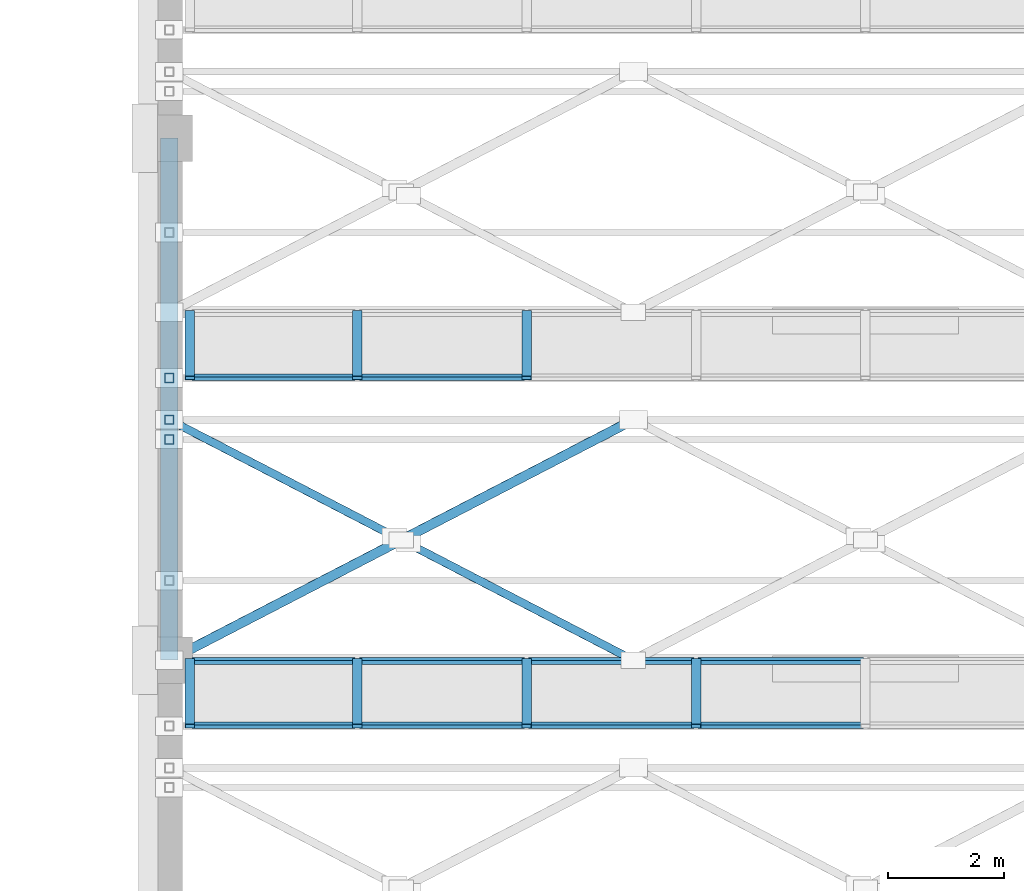
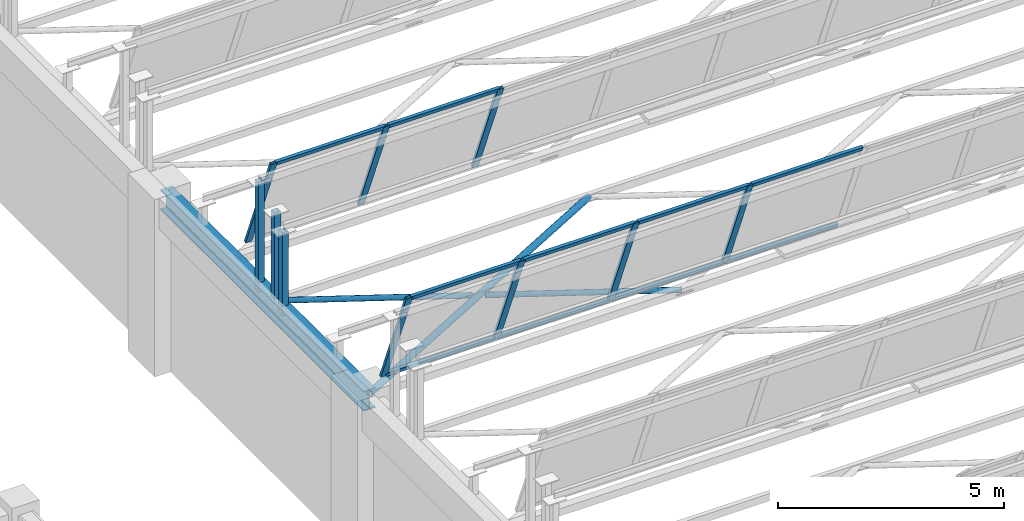
# One storey, part 54 of 98: 23 members, 1 beam, 2 elements without a shape of their own.
"""IFC4 building model written with IfcOpenShell, lengths in metres."""

from ifc_helpers import new_model, si_unit, direction, frame, origin, origin_2d, place, context, subcontext, project, spatial, hollow_rectangle, hollow_circle, i_section, extrude, material, material_profile, profile_set, type_object, element, aggregate, save


model = new_model("IFC4")

# Units and contexts
model_context = context("Model", 3, precision=1e-05, world=origin(), true_north=direction((0.0, 1.0)))
body_context = subcontext(model_context, "Body", "Model", "MODEL_VIEW")
ifc_project = project(units=[si_unit("LENGTHUNIT", "METRE"), si_unit("AREAUNIT", "SQUARE_METRE"), si_unit("VOLUMEUNIT", "CUBIC_METRE"), si_unit("PLANEANGLEUNIT", "RADIAN"), si_unit("MASSUNIT", "GRAM", prefix="KILO")], contexts=[model_context])

# Site, building, storey
site_placement = place(None, origin())
site = spatial("IfcSite", under=ifc_project, at=site_placement, CompositionType="ELEMENT")
building_placement = place(site_placement, origin())
building = spatial("IfcBuilding", under=site, at=building_placement, Name="Lykobir Media Centre", CompositionType="ELEMENT")
storey_placement = place(building_placement, frame((0.0, 0.0, 10.199951171875)))
storey = spatial("IfcBuildingStorey", under=building, at=storey_placement, Name="L02", CompositionType="ELEMENT", Elevation=10.199951171875)

# Beam
ifc_material_1 = material(Name="Steel S355", Category="steel")
ifc_material_profile_1 = material_profile(ifc_material_1, i_section(OverallWidth=0.300048828125, OverallDepth=0.550048828125, WebThickness=0.014892578125, FlangeThickness=0.029052734375, at=origin_2d()), Name="HEB 550")
ifc_profile_set_1 = profile_set([ifc_material_profile_1], Name="Steel S355")
beam_type = type_object("IfcBeamType", Name="BM-HEB550-E", PredefinedType="BEAM", material=ifc_profile_set_1)
beam_placement = place(storey_placement, frame((144.0, 90.0, 4.275146484375), z_axis=(0.0, 1.0, 0.0), x_axis=(-1.0, 0.0, 0.0)))
element("IfcBeam", 1, at=beam_placement, inside=storey, type_object=beam_type, Name="Beam BM-L02-1440-0900-1440-0990-1448", PredefinedType="BEAM", context=body_context, shape_type="SweptSolid", body=[
    extrude(i_section(OverallWidth=0.300048828125, OverallDepth=0.550048828125, WebThickness=0.014892578125, FlangeThickness=0.029052734375, at=origin_2d()), origin(), (0.0, 0.0, 1.0), 9.0),
])

# Members
ifc_material_profile_2 = material_profile(ifc_material_1, hollow_circle(Radius=0.06982421875, WallThickness=0.008056640625, at=origin_2d()), Name="CHS 139.7x8.0")
ifc_profile_set_2 = profile_set([ifc_material_profile_2], Name="Steel S355")
member_type_1 = type_object("IfcMemberType", Name="BR-CHS140", PredefinedType="BRACE", material=ifc_profile_set_2)
member_1_placement = place(storey_placement, frame((152.0, 90.0, 4.43994140625), z_axis=(-0.887879780504, 0.460075532247, 0.0), x_axis=(-0.460075532247, -0.887879780504, 0.0)))
element("IfcMember", 2, at=member_1_placement, inside=storey, type_object=member_type_1, Name="Diagonal brace MEM2-L02-1520-0900-0146-1481-0920-0349", PredefinedType="BRACE", context=body_context, shape_type="SweptSolid", body=[
    extrude(hollow_circle(Radius=0.06982421875, WallThickness=0.008056640625, at=origin_2d()), origin(), (0.0, 0.0, 1.0), 4.365234375),
])
member_2_placement = place(storey_placement, frame((147.875732421875, 92.136962890625, 4.43994140625), z_axis=(-0.88790262671, 0.460031439666, 0.0), x_axis=(-0.460031439666, -0.88790262671, 0.0)))
element("IfcMember", 3, at=member_2_placement, inside=storey, type_object=member_type_1, Name="Diagonal brace MEM2-L02-1479-0921-0146-1440-0941-0350", PredefinedType="BRACE", context=body_context, shape_type="SweptSolid", body=[
    extrude(hollow_circle(Radius=0.06982421875, WallThickness=0.008056640625, at=origin_2d()), origin(), (0.0, 0.0, 1.0), 4.364990234375),
])
ifc_material_profile_3 = material_profile(ifc_material_1, hollow_circle(Radius=0.084228515625, WallThickness=0.010009765625, at=origin_2d()), Name="CHS 168.3x10.0")
ifc_profile_set_3 = profile_set([ifc_material_profile_3], Name="Steel S355")
member_type_2 = type_object("IfcMemberType", Name="BR-CHS168", PredefinedType="BRACE", material=ifc_profile_set_3)
member_3_placement = place(storey_placement, frame((144.0, 90.0, 4.43994140625), z_axis=(0.887896386773, 0.460043483113, 0.0), x_axis=(-0.460043483113, 0.887896386773, 0.0)))
element("IfcMember", 4, at=member_3_placement, inside=storey, type_object=member_type_2, Name="Diagonal brace MEM2-L02-1440-0900-0146-1520-0941-0348", PredefinedType="BRACE", context=body_context, shape_type="SweptSolid", body=[
    extrude(hollow_circle(Radius=0.084228515625, WallThickness=0.010009765625, at=origin_2d()), origin(), (0.0, 0.0, 1.0), 9.010009765625),
])
ifc_material_profile_4 = material_profile(ifc_material_1, hollow_rectangle(XDim=0.159912109375, YDim=0.159912109375, WallThickness=0.008056640625, at=origin_2d()), Name="SHS 160x160x8")
ifc_profile_set_4 = profile_set([ifc_material_profile_4], Name="Steel S355")
member_type_3 = type_object("IfcMemberType", Name="BR-SHS160", PredefinedType="BRACE", material=ifc_profile_set_4)
member_4_placement = place(storey_placement, frame((144.0, 94.864990234375, 4.300048828125), z_axis=(0.0, 0.0, 1.0), x_axis=(1.0, 0.0, 0.0)))
element("IfcMember", 5, at=member_4_placement, inside=storey, type_object=member_type_3, Name="Diagonal brace MEM2-L02-1440-0949-0145-1440-0949-0342", PredefinedType="BRACE", context=body_context, shape_type="SweptSolid", body=[
    extrude(hollow_rectangle(XDim=0.159912109375, YDim=0.159912109375, WallThickness=0.008056640625, at=origin_2d()), origin(), (0.0, 0.0, 1.0), 2.958984375),
])
member_5_placement = place(storey_placement, frame((144.0, 94.14501953125, 4.43994140625), z_axis=(0.0, 0.0, 1.0), x_axis=(1.0, 0.0, 0.0)))
element("IfcMember", 6, at=member_5_placement, inside=storey, type_object=member_type_3, Name="Diagonal brace MEM2-L02-1440-0941-0146-1440-0941-0344", PredefinedType="BRACE", context=body_context, shape_type="SweptSolid", body=[
    extrude(hollow_rectangle(XDim=0.159912109375, YDim=0.159912109375, WallThickness=0.008056640625, at=origin_2d()), origin(), (0.0, 0.0, 1.0), 2.433349609375),
])
member_6_placement = place(storey_placement, frame((144.0, 93.805908203125, 4.300048828125), z_axis=(0.0, 0.0, 1.0), x_axis=(1.0, 0.0, 0.0)))
element("IfcMember", 7, at=member_6_placement, inside=storey, type_object=member_type_3, Name="Diagonal brace MEM2-L02-1440-0938-0145-1440-0938-0359", PredefinedType="BRACE", context=body_context, shape_type="SweptSolid", body=[
    extrude(hollow_rectangle(XDim=0.159912109375, YDim=0.159912109375, WallThickness=0.008056640625, at=origin_2d()), origin(), (0.0, 0.0, 1.0), 2.24462890625),
])

# Curtain wall, members
ifc_material_2 = material(Name="Anodized Aluminium AW-6060", Category="aluminium")
curtain_wall_type = type_object("IfcCurtainWallType", Name="CW-NL-V2", PredefinedType="NOTDEFINED", material=ifc_material_2)
curtain_wall_1_placement = place(storey_placement, origin())
curtain_wall_1 = element("IfcCurtainWall", 8, at=curtain_wall_1_placement, inside=storey, type_object=curtain_wall_type, Name="Curtain wall CW-NL-V2-03", PredefinedType="NOTDEFINED")
ifc_material_profile_5 = material_profile(ifc_material_2, hollow_rectangle(XDim=0.070068359375, YDim=0.1650390625, WallThickness=0.00390625, at=origin_2d()), Name="ALU MULLION 70x165")
ifc_profile_set_5 = profile_set([ifc_material_profile_5], Name="Anodized Aluminium AW-6060")
member_type_4 = type_object("IfcMemberType", Name="CWM-165", PredefinedType="MULLION", material=ifc_profile_set_5)
member_7_placement = place(storey_placement, frame((144.35498046875, 90.0, 4.800048828125), z_axis=(0.0, -0.374653582974, 0.927164868168), x_axis=(0.0, 0.927164868168, 0.374653582974)))
member_7 = element("IfcMember", 9, at=member_7_placement, type_object=member_type_4, Name="CW-NL-V2-03 mullion 1", PredefinedType="MULLION", context=body_context, shape_type="SweptSolid", body=[
    extrude(hollow_rectangle(XDim=0.070068359375, YDim=0.1650390625, WallThickness=0.00390625, at=origin_2d()), origin(), (0.0, 0.0, 1.0), 3.029541015625),
])
member_8_placement = place(storey_placement, frame((147.239990234375, 90.0, 4.800048828125), z_axis=(0.0, -0.374653582974, 0.927164868168), x_axis=(0.0, 0.927164868168, 0.374653582974)))
member_8 = element("IfcMember", 10, at=member_8_placement, type_object=member_type_4, Name="CW-NL-V2-03 mullion 2", PredefinedType="MULLION", context=body_context, shape_type="SweptSolid", body=[
    extrude(hollow_rectangle(XDim=0.070068359375, YDim=0.1650390625, WallThickness=0.00390625, at=origin_2d()), origin(), (0.0, 0.0, 1.0), 3.029541015625),
])
member_9_placement = place(storey_placement, frame((150.159912109375, 90.0, 4.800048828125), z_axis=(0.0, -0.374653582974, 0.927164868168), x_axis=(0.0, 0.927164868168, 0.374653582974)))
member_9 = element("IfcMember", 11, at=member_9_placement, type_object=member_type_4, Name="CW-NL-V2-03 mullion 3", PredefinedType="MULLION", context=body_context, shape_type="SweptSolid", body=[
    extrude(hollow_rectangle(XDim=0.070068359375, YDim=0.1650390625, WallThickness=0.00390625, at=origin_2d()), origin(), (0.0, 0.0, 1.0), 3.029541015625),
])
member_10_placement = place(storey_placement, frame((153.080078125, 90.0, 4.800048828125), z_axis=(0.0, -0.374653582974, 0.927164868168), x_axis=(0.0, 0.927164868168, 0.374653582974)))
member_10 = element("IfcMember", 12, at=member_10_placement, type_object=member_type_4, Name="CW-NL-V2-03 mullion 4", PredefinedType="MULLION", context=body_context, shape_type="SweptSolid", body=[
    extrude(hollow_rectangle(XDim=0.070068359375, YDim=0.1650390625, WallThickness=0.00390625, at=origin_2d()), origin(), (0.0, 0.0, 1.0), 3.029541015625),
])

curtain_wall_2_placement = place(storey_placement, origin())
curtain_wall_2 = element("IfcCurtainWall", 13, at=curtain_wall_2_placement, inside=storey, type_object=curtain_wall_type, Name="Curtain wall CW-NL-V2-04", PredefinedType="NOTDEFINED")
member_11_placement = place(storey_placement, frame((144.35498046875, 96.0, 4.800048828125), z_axis=(0.0, -0.374653582974, 0.927164868168), x_axis=(0.0, 0.927164868168, 0.374653582974)))
member_11 = element("IfcMember", 14, at=member_11_placement, type_object=member_type_4, Name="CW-NL-V2-04 mullion 1", PredefinedType="MULLION", context=body_context, shape_type="SweptSolid", body=[
    extrude(hollow_rectangle(XDim=0.070068359375, YDim=0.1650390625, WallThickness=0.00390625, at=origin_2d()), origin(), (0.0, 0.0, 1.0), 3.029541015625),
])
member_12_placement = place(storey_placement, frame((147.239990234375, 96.0, 4.800048828125), z_axis=(0.0, -0.374653582974, 0.927164868168), x_axis=(0.0, 0.927164868168, 0.374653582974)))
member_12 = element("IfcMember", 15, at=member_12_placement, type_object=member_type_4, Name="CW-NL-V2-04 mullion 2", PredefinedType="MULLION", context=body_context, shape_type="SweptSolid", body=[
    extrude(hollow_rectangle(XDim=0.070068359375, YDim=0.1650390625, WallThickness=0.00390625, at=origin_2d()), origin(), (0.0, 0.0, 1.0), 3.029541015625),
])
member_13_placement = place(storey_placement, frame((150.159912109375, 96.0, 4.800048828125), z_axis=(0.0, -0.374653582974, 0.927164868168), x_axis=(0.0, 0.927164868168, 0.374653582974)))
member_13 = element("IfcMember", 16, at=member_13_placement, type_object=member_type_4, Name="CW-NL-V2-04 mullion 3", PredefinedType="MULLION", context=body_context, shape_type="SweptSolid", body=[
    extrude(hollow_rectangle(XDim=0.070068359375, YDim=0.1650390625, WallThickness=0.00390625, at=origin_2d()), origin(), (0.0, 0.0, 1.0), 3.029541015625),
])

# Member
ifc_material_profile_6 = material_profile(ifc_material_2, hollow_rectangle(XDim=0.070068359375, YDim=0.135009765625, WallThickness=0.00341796875, at=origin_2d()), Name="ALU TRANSOM 70x135")
ifc_profile_set_6 = profile_set([ifc_material_profile_6], Name="Anodized Aluminium AW-6060")
member_type_5 = type_object("IfcMemberType", Name="CWT-135", PredefinedType="USERDEFINED", material=ifc_profile_set_6)
member_14_placement = place(storey_placement, frame((144.389892578125, 89.98681640625, 4.83251953125), z_axis=(1.0, 0.0, 0.0), x_axis=(0.0, 0.927183854567, 0.374606593416)))
member_14 = element("IfcMember", 17, at=member_14_placement, type_object=member_type_5, Name="CW-NL-V2-03 transom 1.1", ObjectType="TRANSOM", PredefinedType="USERDEFINED", context=body_context, shape_type="SweptSolid", body=[
    extrude(hollow_rectangle(XDim=0.070068359375, YDim=0.135009765625, WallThickness=0.00341796875, at=origin_2d()), origin(), (0.0, 0.0, 1.0), 2.815185546875),
])

member_15_placement = place(storey_placement, frame((144.389892578125, 88.878173828125, 7.57666015625), z_axis=(1.0, 0.0, 0.0), x_axis=(0.0, 0.927183854567, 0.374606593416)))
member_15 = element("IfcMember", 18, at=member_15_placement, type_object=member_type_5, Name="CW-NL-V2-03 transom 1.2", ObjectType="TRANSOM", PredefinedType="USERDEFINED", context=body_context, shape_type="SweptSolid", body=[
    extrude(hollow_rectangle(XDim=0.070068359375, YDim=0.135009765625, WallThickness=0.00341796875, at=origin_2d()), origin(), (0.0, 0.0, 1.0), 2.815185546875),
])

member_16_placement = place(storey_placement, frame((147.27490234375, 89.98681640625, 4.83251953125), z_axis=(1.0, 0.0, 0.0), x_axis=(0.0, 0.927183854567, 0.374606593416)))
member_16 = element("IfcMember", 19, at=member_16_placement, type_object=member_type_5, Name="CW-NL-V2-03 transom 2.1", ObjectType="TRANSOM", PredefinedType="USERDEFINED", context=body_context, shape_type="SweptSolid", body=[
    extrude(hollow_rectangle(XDim=0.070068359375, YDim=0.135009765625, WallThickness=0.00341796875, at=origin_2d()), origin(), (0.0, 0.0, 1.0), 2.85009765625),
])

member_17_placement = place(storey_placement, frame((147.27490234375, 88.878173828125, 7.57666015625), z_axis=(1.0, 0.0, 0.0), x_axis=(0.0, 0.927183854567, 0.374606593416)))
member_17 = element("IfcMember", 20, at=member_17_placement, type_object=member_type_5, Name="CW-NL-V2-03 transom 2.2", ObjectType="TRANSOM", PredefinedType="USERDEFINED", context=body_context, shape_type="SweptSolid", body=[
    extrude(hollow_rectangle(XDim=0.070068359375, YDim=0.135009765625, WallThickness=0.00341796875, at=origin_2d()), origin(), (0.0, 0.0, 1.0), 2.85009765625),
])

member_18_placement = place(storey_placement, frame((150.195068359375, 89.98681640625, 4.83251953125), z_axis=(1.0, 0.0, 0.0), x_axis=(0.0, 0.927183854567, 0.374606593416)))
member_18 = element("IfcMember", 21, at=member_18_placement, type_object=member_type_5, Name="CW-NL-V2-03 transom 3.1", ObjectType="TRANSOM", PredefinedType="USERDEFINED", context=body_context, shape_type="SweptSolid", body=[
    extrude(hollow_rectangle(XDim=0.070068359375, YDim=0.135009765625, WallThickness=0.00341796875, at=origin_2d()), origin(), (0.0, 0.0, 1.0), 2.849853515625),
])

member_19_placement = place(storey_placement, frame((150.195068359375, 88.878173828125, 7.57666015625), z_axis=(1.0, 0.0, 0.0), x_axis=(0.0, 0.927183854567, 0.374606593416)))
member_19 = element("IfcMember", 22, at=member_19_placement, type_object=member_type_5, Name="CW-NL-V2-03 transom 3.2", ObjectType="TRANSOM", PredefinedType="USERDEFINED", context=body_context, shape_type="SweptSolid", body=[
    extrude(hollow_rectangle(XDim=0.070068359375, YDim=0.135009765625, WallThickness=0.00341796875, at=origin_2d()), origin(), (0.0, 0.0, 1.0), 2.849853515625),
])

member_20_placement = place(storey_placement, frame((153.114990234375, 89.98681640625, 4.83251953125), z_axis=(1.0, 0.0, 0.0), x_axis=(0.0, 0.927183854567, 0.374606593416)))
member_20 = element("IfcMember", 23, at=member_20_placement, type_object=member_type_5, Name="CW-NL-V2-03 transom 4.1", ObjectType="TRANSOM", PredefinedType="USERDEFINED", context=body_context, shape_type="SweptSolid", body=[
    extrude(hollow_rectangle(XDim=0.070068359375, YDim=0.135009765625, WallThickness=0.00341796875, at=origin_2d()), origin(), (0.0, 0.0, 1.0), 2.85009765625),
])

member_21_placement = place(storey_placement, frame((153.114990234375, 88.878173828125, 7.57666015625), z_axis=(1.0, 0.0, 0.0), x_axis=(0.0, 0.927183854567, 0.374606593416)))
member_21 = element("IfcMember", 24, at=member_21_placement, type_object=member_type_5, Name="CW-NL-V2-03 transom 4.2", ObjectType="TRANSOM", PredefinedType="USERDEFINED", context=body_context, shape_type="SweptSolid", body=[
    extrude(hollow_rectangle(XDim=0.070068359375, YDim=0.135009765625, WallThickness=0.00341796875, at=origin_2d()), origin(), (0.0, 0.0, 1.0), 2.85009765625),
])

aggregate(curtain_wall_1, [member_7, member_8, member_9, member_10, member_14, member_15, member_16, member_17, member_18, member_19, member_20, member_21])

member_22_placement = place(storey_placement, frame((144.389892578125, 94.878173828125, 7.57666015625), z_axis=(1.0, 0.0, 0.0), x_axis=(0.0, 0.927183854567, 0.374606593416)))
member_22 = element("IfcMember", 25, at=member_22_placement, type_object=member_type_5, Name="CW-NL-V2-04 transom 1.2", ObjectType="TRANSOM", PredefinedType="USERDEFINED", context=body_context, shape_type="SweptSolid", body=[
    extrude(hollow_rectangle(XDim=0.070068359375, YDim=0.135009765625, WallThickness=0.00341796875, at=origin_2d()), origin(), (0.0, 0.0, 1.0), 2.815185546875),
])

member_23_placement = place(storey_placement, frame((147.27490234375, 94.878173828125, 7.57666015625), z_axis=(1.0, 0.0, 0.0), x_axis=(0.0, 0.927183854567, 0.374606593416)))
member_23 = element("IfcMember", 26, at=member_23_placement, type_object=member_type_5, Name="CW-NL-V2-04 transom 2.2", ObjectType="TRANSOM", PredefinedType="USERDEFINED", context=body_context, shape_type="SweptSolid", body=[
    extrude(hollow_rectangle(XDim=0.070068359375, YDim=0.135009765625, WallThickness=0.00341796875, at=origin_2d()), origin(), (0.0, 0.0, 1.0), 2.85009765625),
])

aggregate(curtain_wall_2, [member_11, member_12, member_13, member_22, member_23])

save(model, "model.ifc")
